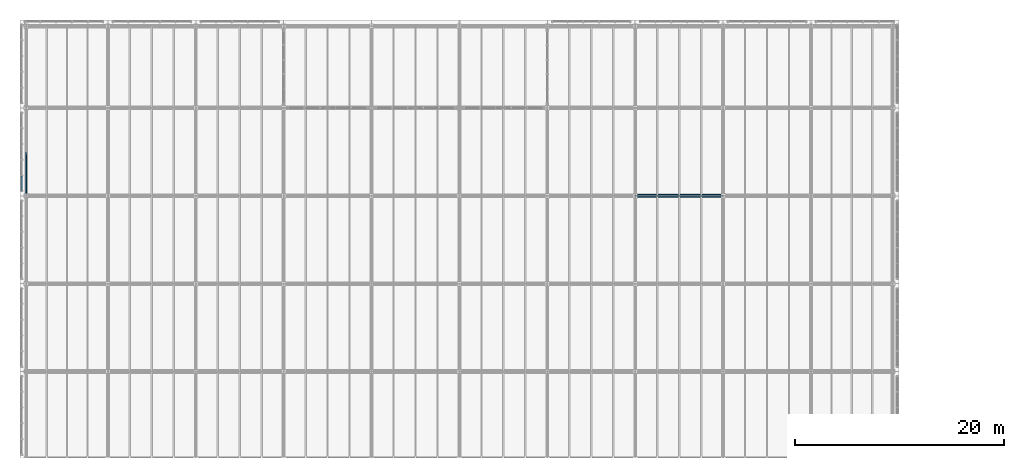
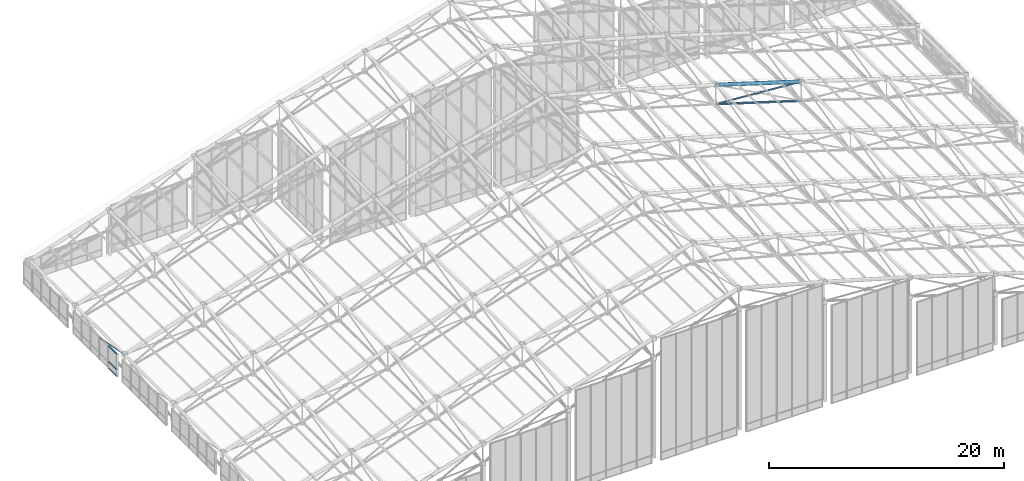
# One storey, part 60 of 144: 7 members, 1 element without a shape of its own.
"""IFC4 building model written with IfcOpenShell, lengths in metres."""

import ifcopenshell
import ifcopenshell.guid

model = None  # the IFC model being written
_history = None  # IfcOwnerHistory: only IFC2X3 demands one
_inside = {}  # id of a spatial element -> (the spatial element, [elements in it])
_under = {}  # id of a project, library or spatial element -> (it, [spatial elements below it])
_declared = {}  # id of a project -> (the project, [libraries it declares])
_typed = {}  # id of a type object -> (the type object, [elements of that type])
_made_of = {}  # id of a material, layer set ... -> (it, [elements and type objects made of it])


def new_model(schema):
    """Start an empty IFC model of exactly this schema.

    Asked for "IFC4X3", IfcOpenShell would pick the latest addendum, in which some entities
    have other attributes; the version numbers below select the first issue.
    IFC2X3 requires an IfcOwnerHistory on every rooted entity: one is made here for all.
    """
    global model, _history
    if schema == "IFC4X3":
        model = ifcopenshell.file(schema_version=(4, 3, 0, 0))
    else:
        model = ifcopenshell.file(schema=schema)
    _inside.clear()
    _under.clear()
    _declared.clear()
    _typed.clear()
    _made_of.clear()
    _history = None
    if model.schema == "IFC2X3":
        org = make("IfcOrganization", Name="unknown")
        user = make(
            "IfcPersonAndOrganization",
            ThePerson=make("IfcPerson", FamilyName="unknown"),
            TheOrganization=org,
        )
        app = make(
            "IfcApplication",
            ApplicationDeveloper=org,
            Version="unknown",
            ApplicationFullName="unknown",
            ApplicationIdentifier="unknown",
        )
        _history = make(
            "IfcOwnerHistory",
            OwningUser=user,
            OwningApplication=app,
            ChangeAction="ADDED",
            CreationDate=0,
        )
    return model


def make(cls, **values):
    """One entity of the class cls with the attributes given. An attribute that is None is left unset."""
    return model.create_entity(
        cls, **{name: value for name, value in values.items() if value is not None}
    )


def rooted(cls, **values):
    """An entity with a GlobalId (a new one), such as an element, a storey or a relation."""
    return make(cls, GlobalId=ifcopenshell.guid.new(), OwnerHistory=_history, **values)


def si_unit(unit_type, name, prefix=None):
    """IfcSIUnit, for example si_unit("LENGTHUNIT", "METRE", prefix="MILLI")."""
    return make("IfcSIUnit", UnitType=unit_type, Prefix=prefix, Name=name)


def assignment(units):
    """IfcUnitAssignment: the units of a project."""
    return None if units is None else make("IfcUnitAssignment", Units=units)


def point(xyz):
    """IfcCartesianPoint."""
    return None if xyz is None else make("IfcCartesianPoint", Coordinates=xyz)


def direction(xyz):
    """IfcDirection."""
    return None if xyz is None else make("IfcDirection", DirectionRatios=xyz)


def frame(location, z_axis=None, x_axis=None):
    """IfcAxis2Placement3D, a coordinate frame: its origin and axes. An axis left out is left unset."""
    return make(
        "IfcAxis2Placement3D",
        Location=point(location),
        Axis=direction(z_axis),
        RefDirection=direction(x_axis),
    )


def frame_2d(location, x_axis=None):
    """IfcAxis2Placement2D, a coordinate frame in the plane: its origin and x axis."""
    return make(
        "IfcAxis2Placement2D", Location=point(location), RefDirection=direction(x_axis)
    )


def origin():
    """The frame at (0, 0, 0) with its axes left unset."""
    return frame((0.0, 0.0, 0.0))


def origin_2d():
    """The frame at (0, 0) in the plane with its x axis left unset."""
    return frame_2d((0.0, 0.0))


def place(relative_to, where):
    """IfcLocalPlacement: puts the frame where relative to a parent placement (None: the world)."""
    return make(
        "IfcLocalPlacement", PlacementRelTo=relative_to, RelativePlacement=where
    )


def context(
    kind, dimensions, precision=None, world=None, true_north=None, identifier=None
):
    """IfcGeometricRepresentationContext, for example the 3D "Model" context."""
    return make(
        "IfcGeometricRepresentationContext",
        ContextIdentifier=identifier,
        ContextType=kind,
        CoordinateSpaceDimension=dimensions,
        Precision=precision,
        WorldCoordinateSystem=world,
        TrueNorth=true_north,
    )


def subcontext(parent, identifier, kind, view, scale=None):
    """IfcGeometricRepresentationSubContext, for example "Body" below "Model"."""
    return make(
        "IfcGeometricRepresentationSubContext",
        ContextIdentifier=identifier,
        ContextType=kind,
        ParentContext=parent,
        TargetScale=scale,
        TargetView=view,
    )


def project(units=None, contexts=None):
    """IfcProject with its units and contexts."""
    return rooted(
        "IfcProject",
        Name="project",
        RepresentationContexts=contexts,
        UnitsInContext=assignment(units),
    )


def spatial(cls, under=None, at=None, **own):
    """A site, building, storey or space (cls), placed at a placement, below another one or the project."""
    s = rooted(cls, ObjectPlacement=at, **own)
    if under is not None:
        _under.setdefault(under.id(), (under, []))[1].append(s)
    return s


def profile(cls, at=None, kind="AREA", **sizes):
    """A parametric profile (cls). Its sizes go by their IFC names, for example OverallWidth=200.0."""
    return make(cls, ProfileType=kind, Position=at, **sizes)


def hollow_rectangle(**sizes):
    """IfcRectangleHollowProfileDef."""
    return profile("IfcRectangleHollowProfileDef", **sizes)


def hollow_circle(**sizes):
    """IfcCircleHollowProfileDef."""
    return profile("IfcCircleHollowProfileDef", **sizes)


def extrude(swept, where, along, depth):
    """IfcExtrudedAreaSolid: the profile swept, set in the frame where, extruded along a direction by depth."""
    return make(
        "IfcExtrudedAreaSolid",
        SweptArea=swept,
        Position=where,
        ExtrudedDirection=direction(along),
        Depth=depth,
    )


def shape(context_of_items, identifier, shape_type, items):
    """IfcShapeRepresentation: the items that make up one representation, for example the "Body"."""
    return make(
        "IfcShapeRepresentation",
        ContextOfItems=context_of_items,
        RepresentationIdentifier=identifier,
        RepresentationType=shape_type,
        Items=items,
    )


def material(Name=None, Category=None):
    """IfcMaterial."""
    return make("IfcMaterial", Name=Name, Category=Category)


def layer(
    of_material, thickness, ventilated=None, Name=None, Category=None, Priority=None
):
    """IfcMaterialLayer: one layer of a wall or slab, of a material (None: an air gap)."""
    return make(
        "IfcMaterialLayer",
        Material=of_material,
        LayerThickness=thickness,
        IsVentilated=ventilated,
        Name=Name,
        Category=Category,
        Priority=Priority,
    )


def layer_set(layers, Name=None):
    """IfcMaterialLayerSet."""
    return make("IfcMaterialLayerSet", MaterialLayers=layers, LayerSetName=Name)


def material_profile(
    of_material, cross_section, Name=None, Category=None, Priority=None
):
    """IfcMaterialProfile: a cross section and its material."""
    return make(
        "IfcMaterialProfile",
        Name=Name,
        Material=of_material,
        Profile=cross_section,
        Priority=Priority,
        Category=Category,
    )


def profile_set(profiles, Name=None, composite=None):
    """IfcMaterialProfileSet."""
    return make(
        "IfcMaterialProfileSet",
        Name=Name,
        MaterialProfiles=profiles,
        CompositeProfile=composite,
    )


def made_of(thing, what):
    """Note that an element or type object is made of a material, layer set ...; save() writes the relation."""
    if what is not None:
        _made_of.setdefault(what.id(), (what, []))[1].append(thing)
    return thing


def type_object(cls, material=None, **own):
    """A type object (cls), such as IfcWallType, which elements share."""
    return made_of(rooted(cls, **own), material)


def element(
    cls,
    number,
    at=None,
    inside=None,
    cuts=None,
    type_object=None,
    material=None,
    context=None,
    identifier="Body",
    shape_type=None,
    held_by="IfcProductDefinitionShape",
    body=None,
    shapes=None,
    **own,
):
    """One element of the class cls, such as IfcWall. Its Tag is "e" and its number.

    at: its placement. inside: the storey or other place that contains it. cuts: it is an
    opening in that element (IfcRelVoidsElement). A single representation is given by context,
    identifier, shape_type and body (its items); several are given by shapes. held_by: the class
    of the entity that holds the representations. save() writes the other relations.
    """
    e = rooted(cls, Tag="e%d" % number, ObjectPlacement=at, **own)
    if body is not None:
        shapes = [shape(context, identifier, shape_type, body)]
    if shapes is not None:
        e.Representation = make(held_by, Representations=shapes)
    if inside is not None:
        _inside.setdefault(inside.id(), (inside, []))[1].append(e)
    if cuts is not None:
        rooted(
            "IfcRelVoidsElement", RelatingBuildingElement=cuts, RelatedOpeningElement=e
        )
    if type_object is not None:
        _typed.setdefault(type_object.id(), (type_object, []))[1].append(e)
    return made_of(e, material)


def aggregate(whole, parts):
    """IfcRelAggregates: a whole, such as a stair, and the parts it consists of."""
    return rooted("IfcRelAggregates", RelatingObject=whole, RelatedObjects=parts)


def save(model, path):
    """Write the relations noted so far, then the file.

    IfcRelAggregates (storeys below a building ...), IfcRelContainedInSpatialStructure (elements
    in a storey), IfcRelDefinesByType, IfcRelAssociatesMaterial and IfcRelDeclares: one each for
    every whole, place, type object, material and project.
    """
    for whole, parts in _under.values():
        aggregate(whole, parts)
    for where, things in _inside.values():
        rooted(
            "IfcRelContainedInSpatialStructure",
            RelatedElements=things,
            RelatingStructure=where,
        )
    for kind, things in _typed.values():
        rooted("IfcRelDefinesByType", RelatedObjects=things, RelatingType=kind)
    for what, things in _made_of.values():
        rooted("IfcRelAssociatesMaterial", RelatedObjects=things, RelatingMaterial=what)
    for by, libraries in _declared.values():
        rooted("IfcRelDeclares", RelatingContext=by, RelatedDefinitions=libraries)
    model.write(path)


model = new_model("IFC4")

# Units and contexts
model_context = context("Model", 3, precision=1e-05, world=origin(), true_north=direction((0.0, 1.0)))
body_context = subcontext(model_context, "Body", "Model", "MODEL_VIEW")
ifc_project = project(units=[si_unit("LENGTHUNIT", "METRE"), si_unit("AREAUNIT", "SQUARE_METRE"), si_unit("VOLUMEUNIT", "CUBIC_METRE"), si_unit("PLANEANGLEUNIT", "RADIAN"), si_unit("MASSUNIT", "GRAM", prefix="KILO")], contexts=[model_context])

# Site, building, storey
site_placement = place(None, origin())
site = spatial("IfcSite", under=ifc_project, at=site_placement, CompositionType="ELEMENT")
building_placement = place(site_placement, origin())
building = spatial("IfcBuilding", under=site, at=building_placement, Name="Zayran Congress Hotel", CompositionType="ELEMENT")
storey_placement = place(building_placement, frame((0.0, 0.0, 19.199951171875)))
storey = spatial("IfcBuildingStorey", under=building, at=storey_placement, Name="L04", CompositionType="ELEMENT", Elevation=19.199951171875)

# Members
ifc_material_1 = material(Name="Steel S355", Category="steel")
ifc_material_profile_1 = material_profile(ifc_material_1, hollow_circle(Radius=0.177734375, WallThickness=0.01611328125, at=origin_2d()), Name="CHS 355.6x16")
ifc_profile_set_1 = profile_set([ifc_material_profile_1], Name="Steel S355")
member_type_1 = type_object("IfcMemberType", Name="TP-SF-TC1", PredefinedType="CHORD", material=ifc_profile_set_1)
member_1_placement = place(storey_placement, frame((67.199951171875, 101.199951171875, 9.902099609375), z_axis=(0.955284210171, 0.0, -0.29568915739), x_axis=(0.0, 1.0, 0.0)))
element("IfcMember", 1, at=member_1_placement, inside=storey, type_object=member_type_1, Name="Space Frame Top Chord X 416", PredefinedType="CHORD", context=body_context, shape_type="SweptSolid", body=[
    extrude(hollow_circle(Radius=0.177734375, WallThickness=0.01611328125, at=origin_2d()), origin(), (0.0, 0.0, 1.0), 8.79345703125),
])
ifc_material_profile_2 = material_profile(ifc_material_1, hollow_circle(Radius=0.109619140625, WallThickness=0.010009765625, at=origin_2d()), Name="CHS 219.1x10")
ifc_profile_set_2 = profile_set([ifc_material_profile_2], Name="Steel S355")
member_type_2 = type_object("IfcMemberType", Name="TP-SF-BC1", PredefinedType="CHORD", material=ifc_profile_set_2)
member_2_placement = place(storey_placement, frame((67.199951171875, 101.199951171875, 7.900146484375), z_axis=(0.955284210171, 0.0, -0.29568915739), x_axis=(0.0, 1.0, 0.0)))
element("IfcMember", 2, at=member_2_placement, inside=storey, type_object=member_type_2, Name="Space Frame Bottom Chord X 417", PredefinedType="CHORD", context=body_context, shape_type="SweptSolid", body=[
    extrude(hollow_circle(Radius=0.109619140625, WallThickness=0.010009765625, at=origin_2d()), origin(), (0.0, 0.0, 1.0), 8.79345703125),
])
ifc_material_profile_3 = material_profile(ifc_material_1, hollow_circle(Radius=0.084228515625, WallThickness=0.008056640625, at=origin_2d()), Name="CHS 168.3x8")
ifc_profile_set_3 = profile_set([ifc_material_profile_3], Name="Steel S355")
member_type_3 = type_object("IfcMemberType", Name="TP-SF-DG1", PredefinedType="BRACE", material=ifc_profile_set_3)
member_3_placement = place(storey_placement, frame((67.199951171875, 101.199951171875, 7.900146484375), z_axis=(0.997474421553, 0.0, -0.071026603098), x_axis=(0.0, 1.0, 0.0)))
element("IfcMember", 3, at=member_3_placement, inside=storey, type_object=member_type_3, Name="Space Frame Web Diagonal X 418", PredefinedType="BRACE", context=body_context, shape_type="SweptSolid", body=[
    extrude(hollow_circle(Radius=0.084228515625, WallThickness=0.008056640625, at=origin_2d()), origin(), (0.0, 0.0, 1.0), 8.42138671875),
])
ifc_material_profile_4 = material_profile(ifc_material_1, hollow_circle(Radius=0.05712890625, WallThickness=0.00634765625, at=origin_2d()), Name="CHS 114.3x6.3")
ifc_profile_set_4 = profile_set([ifc_material_profile_4], Name="Steel S355")
member_type_4 = type_object("IfcMemberType", Name="TP-SF-DG3", PredefinedType="BRACE", material=ifc_profile_set_4)
member_4_placement = place(storey_placement, frame((9.0, 101.199951171875, 2.19140625), z_axis=(0.0, 0.982520698357, -0.186153370371), x_axis=(-1.0, 0.0, 0.0)))
element("IfcMember", 4, at=member_4_placement, inside=storey, type_object=member_type_4, Name="Space Frame Bracing Diagonal Y Upper 44", PredefinedType="BRACE", context=body_context, shape_type="SweptSolid", body=[
    extrude(hollow_circle(Radius=0.05712890625, WallThickness=0.00634765625, at=origin_2d()), origin(), (0.0, 0.0, 1.0), 4.259765625),
])

# Curtain wall, members
ifc_material_2 = material(Name="Anodised aluminium and low-E insulated glass", Category="aluminium")
ifc_layer = layer(ifc_material_2, 0.179931640625)
ifc_layer_set = layer_set([ifc_layer], Name="Anodised aluminium and low-E insulated glass")
curtain_wall_type = type_object("IfcCurtainWallType", Name="CW-V1CL-L04-CW-31-7560-2370", PredefinedType="USERDEFINED", material=ifc_layer_set)
curtain_wall_placement = place(storey_placement, origin())
curtain_wall = element("IfcCurtainWall", 5, at=curtain_wall_placement, inside=storey, type_object=curtain_wall_type, Name="CW-V1CLW-4", ObjectType="CURTAIN WALL", PredefinedType="USERDEFINED")
ifc_material_3 = material(Name="Anodised aluminium framing", Category="aluminium")
ifc_material_profile_5 = material_profile(ifc_material_3, hollow_rectangle(XDim=0.06005859375, YDim=0.14990234375, WallThickness=0.00390625, at=origin_2d()), Name="RHS 150x60x4")
ifc_profile_set_5 = profile_set([ifc_material_profile_5], Name="Anodised aluminium framing")
member_type_5 = type_object("IfcMemberType", Name="TP-CWT-01", PredefinedType="USERDEFINED", material=ifc_profile_set_5)
member_5_placement = place(storey_placement, frame((8.550048828125, 103.092041015625, -0.18994140625), z_axis=(0.0, -1.0, 0.0), x_axis=(0.0, 0.0, 1.0)))
member_5 = element("IfcMember", 6, at=member_5_placement, type_object=member_type_5, Name="CW-V1CLW-4-T04-0", ObjectType="TRANSOM", PredefinedType="USERDEFINED", context=body_context, shape_type="SweptSolid", body=[
    extrude(hollow_rectangle(XDim=0.06005859375, YDim=0.14990234375, WallThickness=0.00390625, at=origin_2d()), origin(), (0.0, 0.0, 1.0), 1.39208984375),
])
member_6_placement = place(storey_placement, frame((8.550048828125, 103.092041015625, 0.5), z_axis=(0.0, -1.0, 0.0), x_axis=(0.0, 0.0, 1.0)))
member_6 = element("IfcMember", 7, at=member_6_placement, type_object=member_type_5, Name="CW-V1CLW-4-T04-1", ObjectType="TRANSOM", PredefinedType="USERDEFINED", context=body_context, shape_type="SweptSolid", body=[
    extrude(hollow_rectangle(XDim=0.06005859375, YDim=0.14990234375, WallThickness=0.00390625, at=origin_2d()), origin(), (0.0, 0.0, 1.0), 1.39208984375),
])
member_7_placement = place(storey_placement, frame((8.550048828125, 103.092041015625, 2.1201171875), z_axis=(0.0, -1.0, 0.0), x_axis=(0.0, 0.0, 1.0)))
member_7 = element("IfcMember", 8, at=member_7_placement, type_object=member_type_5, Name="CW-V1CLW-4-T04-2", ObjectType="TRANSOM", PredefinedType="USERDEFINED", context=body_context, shape_type="SweptSolid", body=[
    extrude(hollow_rectangle(XDim=0.06005859375, YDim=0.14990234375, WallThickness=0.00390625, at=origin_2d()), origin(), (0.0, 0.0, 1.0), 1.39208984375),
])
aggregate(curtain_wall, [member_5, member_6, member_7])

save(model, "model.ifc")
